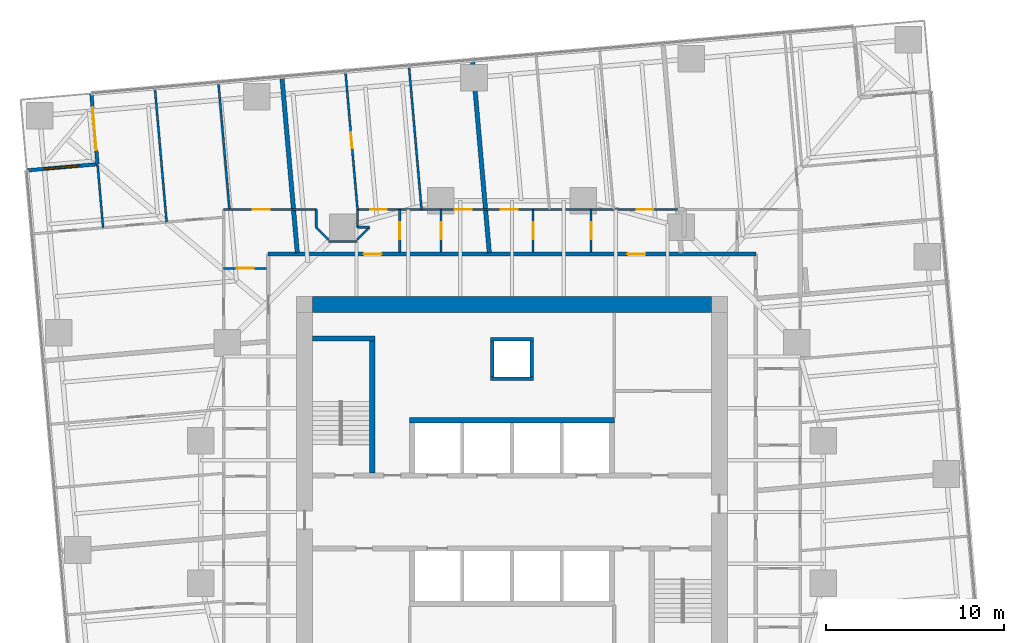
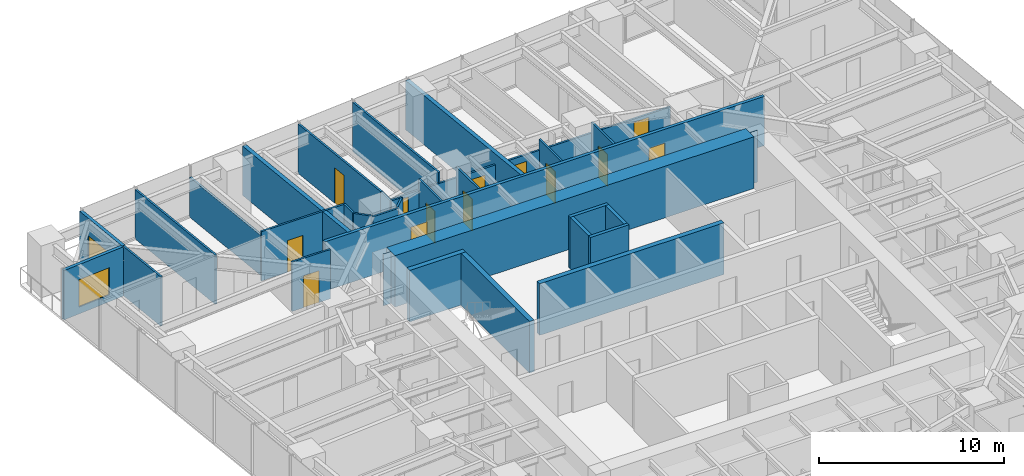
# One storey, part 12 of 14: 31 walls, 14 doors, 1 window, 15 openings.
"""IFC4 building model written with IfcOpenShell, lengths in metres."""

from ifc_helpers import new_model, si_unit, direction, frame, frame_2d, origin, place, context, subcontext, project, spatial, polyline, rectangle, outline, extrude, material, layer, layer_set, type_object, element, fill, save


model = new_model("IFC4")

# Units and contexts
model_context = context("Model", 3, precision=1e-05, world=origin(), true_north=direction((0.0, 1.0)))
body_context = subcontext(model_context, "Body", "Model", "MODEL_VIEW")
ifc_project = project(units=[si_unit("LENGTHUNIT", "METRE"), si_unit("AREAUNIT", "SQUARE_METRE"), si_unit("VOLUMEUNIT", "CUBIC_METRE"), si_unit("PLANEANGLEUNIT", "RADIAN"), si_unit("MASSUNIT", "GRAM", prefix="KILO")], contexts=[model_context])

# Site, building, storey
site_placement = place(None, origin())
site = spatial("IfcSite", under=ifc_project, at=site_placement, CompositionType="ELEMENT")
building_placement = place(site_placement, origin())
building = spatial("IfcBuilding", under=site, at=building_placement, Name="Torsade Residences", CompositionType="ELEMENT")
storey_placement = place(building_placement, frame((0.0, 0.0, 57.39990234375)))
storey = spatial("IfcBuildingStorey", under=building, at=storey_placement, Name="L15", CompositionType="ELEMENT", Elevation=57.39990234375)

# Walls
ifc_material_1 = material(Name="Concrete 80 MPa", Category="concrete")
ifc_layer_1 = layer(ifc_material_1, 0.300048828125)
ifc_layer_set_1 = layer_set([ifc_layer_1], Name="Concrete 80 MPa")
wall_type_1 = type_object("IfcWallType", Name="CORE INTERNAL WALL 300", PredefinedType="SHEAR", material=ifc_layer_set_1)
wall_1_placement = place(storey_placement, frame((34.25, 35.14990234375, 0.0), z_axis=(0.0, 0.0, 1.0), x_axis=(1.0, 0.0, 0.0)))
element("IfcWall", 1, at=wall_1_placement, inside=storey, type_object=wall_type_1, Name="Core wall BN L15", PredefinedType="SHEAR", context=body_context, shape_type="SweptSolid", body=[
    extrude(rectangle(XDim=11.5, YDim=0.300048828125, at=frame_2d((5.75, 0.0))), origin(), (0.0, 0.0, 1.0), 3.400146484375),
])
wall_2_placement = place(storey_placement, frame((32.14990234375, 32.199951171875, 0.0), z_axis=(0.0, 0.0, 1.0), x_axis=(0.0, 1.0, 0.0)))
element("IfcWall", 2, at=wall_2_placement, inside=storey, type_object=wall_type_1, Name="Core wall ST1E L15", PredefinedType="SHEAR", context=body_context, shape_type="SweptSolid", body=[
    extrude(rectangle(XDim=7.699951171875, YDim=0.300048828125, at=frame_2d((3.85009765625, 0.0))), origin(), (0.0, 0.0, 1.0), 3.400146484375),
])
wall_3_placement = place(storey_placement, frame((28.800048828125, 39.75, 0.0), z_axis=(0.0, 0.0, 1.0), x_axis=(1.0, 0.0, 0.0)))
element("IfcWall", 3, at=wall_3_placement, inside=storey, type_object=wall_type_1, Name="Core wall ST1N L15", PredefinedType="SHEAR", context=body_context, shape_type="SweptSolid", body=[
    extrude(rectangle(XDim=3.5, YDim=0.300048828125, at=frame_2d((1.75, 0.0))), origin(), (0.0, 0.0, 1.0), 3.400146484375),
])
ifc_material_2 = material(Name="Concrete 80 MPa", Category="concrete")
ifc_layer_2 = layer(ifc_material_2, 0.89990234375)
ifc_layer_set_2 = layer_set([ifc_layer_2], Name="Concrete 80 MPa")
wall_type_2 = type_object("IfcWallType", Name="CORE WALL 900", PredefinedType="SHEAR", material=ifc_layer_set_2)
wall_4_placement = place(storey_placement, frame((28.800048828125, 41.64990234375, 0.0), z_axis=(0.0, 0.0, 1.0), x_axis=(1.0, 0.0, 0.0)))
element("IfcWall", 4, at=wall_4_placement, inside=storey, type_object=wall_type_2, Name="Core wall N L15", PredefinedType="SHEAR", context=body_context, shape_type="SweptSolid", body=[
    extrude(outline(polyline([(0.0, -0.449951171875), (22.39990234375, -0.449951171875), (22.39990234375, -0.02490234375), (22.849853515625, -0.02490234375), (22.849853515625, 0.02490234375), (22.39990234375, 0.02490234375), (22.39990234375, 0.449951171875), (0.0, 0.449951171875), (0.0, 0.02490234375), (-0.449951171875, 0.02490234375), (-0.449951171875, -0.02490234375), (0.0, -0.02490234375), (0.0, -0.449951171875)])), origin(), (0.0, 0.0, 1.0), 3.400146484375),
])

# Wall, openings, doors
ifc_material_3 = material(Name="Plasterboard on steel stud", Category="steel")
ifc_layer_3 = layer(ifc_material_3, 0.199951171875)
ifc_layer_set_3 = layer_set([ifc_layer_3], Name="Plasterboard on steel stud")
wall_type_3 = type_object("IfcWallType", Name="CORRIDOR WALL 200", PredefinedType="PARTITIONING", material=ifc_layer_set_3)
wall_5_placement = place(storey_placement, frame((53.699951171875, 44.5, 0.0), z_axis=(0.0, 0.0, 1.0), x_axis=(-1.0, 0.0, 0.0)))
wall_5 = element("IfcWall", 5, at=wall_5_placement, inside=storey, type_object=wall_type_3, Name="Corridor wall L15", PredefinedType="PARTITIONING", context=body_context, shape_type="SweptSolid", body=[
    extrude(rectangle(XDim=27.39990234375, YDim=0.199951171875, at=frame_2d((13.699951171875, 0.0))), origin(), (0.0, 0.0, 1.0), 3.25),
])
opening_1_placement = place(wall_5_placement, frame((21.02099609375, 0.0, 0.0)))
opening_1 = element("IfcOpeningElement", 6, at=opening_1_placement, cuts=wall_5, Name="Opening D01", PredefinedType="OPENING", context=body_context, shape_type="SweptSolid", body=[
    extrude(rectangle(XDim=1.02001953125, YDim=2.340087890625, at=frame_2d((0.510009765625, 1.169921875))), frame((0.0, 0.10986328125, 0.0), z_axis=(0.0, -1.0, 0.0), x_axis=(1.0, 0.0, 0.0)), (0.0, 0.0, 1.0), 0.219970703125),
])
opening_2_placement = place(wall_5_placement, frame((6.201416015625, 0.0, 0.0)))
opening_2 = element("IfcOpeningElement", 7, at=opening_2_placement, cuts=wall_5, Name="Opening D01", PredefinedType="OPENING", context=body_context, shape_type="SweptSolid", body=[
    extrude(rectangle(XDim=1.02001953125, YDim=2.340087890625, at=frame_2d((0.510009765625, 1.169921875))), frame((0.0, 0.10986328125, 0.0), z_axis=(0.0, -1.0, 0.0), x_axis=(1.0, 0.0, 0.0)), (0.0, 0.0, 1.0), 0.219970703125),
])
ifc_material_4 = material(Name="Solid-core timber fire door", Category="wood")
door_type_1 = type_object("IfcDoorType", Name="APARTMENT ENTRY DOOR 1020x2340", OperationType="NOTDEFINED", PredefinedType="DOOR", material=ifc_material_4)
door_1_placement = place(opening_1_placement, origin())
door_1 = element("IfcDoor", 8, at=door_1_placement, inside=storey, type_object=door_type_1, Name="Door Residential corridor to Kitchen and dining", OperationType="SINGLE_SWING_LEFT", OverallHeight=2.340087890625, OverallWidth=1.02001953125, PredefinedType="DOOR", context=body_context, shape_type="SweptSolid", body=[
    extrude(rectangle(XDim=1.02001953125, YDim=2.340087890625, at=frame_2d((0.510009765625, 1.169921875))), frame((0.0, 0.02490234375, 0.0), z_axis=(0.0, -1.0, 0.0), x_axis=(1.0, 0.0, 0.0)), (0.0, 0.0, 1.0), 0.050048828125),
])
fill(opening_1, door_1)
door_2_placement = place(opening_2_placement, origin())
door_2 = element("IfcDoor", 9, at=door_2_placement, inside=storey, type_object=door_type_1, Name="Door Residential corridor to Kitchen and dining", OperationType="SINGLE_SWING_RIGHT", OverallHeight=2.340087890625, OverallWidth=1.02001953125, PredefinedType="DOOR", context=body_context, shape_type="SweptSolid", body=[
    extrude(rectangle(XDim=1.02001953125, YDim=2.340087890625, at=frame_2d((0.510009765625, 1.169921875))), frame((0.0, 0.02490234375, 0.0), z_axis=(0.0, -1.0, 0.0), x_axis=(1.0, 0.0, 0.0)), (0.0, 0.0, 1.0), 0.050048828125),
])
fill(opening_2, door_2)

# Wall, opening, door
ifc_material_5 = material(Name="Plasterboard on steel stud", Category="steel")
ifc_layer_4 = layer(ifc_material_5, 0.1201171875)
ifc_layer_set_4 = layer_set([ifc_layer_4], Name="Plasterboard on steel stud")
wall_type_4 = type_object("IfcWallType", Name="PARTITION 120", PredefinedType="PARTITIONING", material=ifc_layer_set_4)
wall_6_placement = place(storey_placement, frame((44.44482421875, 44.60009765625, 0.0), z_axis=(0.0, 0.0, 1.0), x_axis=(0.0, 1.0, 0.0)))
wall_6 = element("IfcWall", 10, at=wall_6_placement, inside=storey, type_object=wall_type_4, Name="Partition L15", PredefinedType="PARTITIONING", context=body_context, shape_type="SweptSolid", body=[
    extrude(rectangle(XDim=2.39990234375, YDim=0.1201171875, at=frame_2d((1.199951171875, 0.0))), origin(), (0.0, 0.0, 1.0), 3.25),
])
opening_3_placement = place(wall_6_placement, frame((0.719970703125, 0.0, 0.0)))
opening_3 = element("IfcOpeningElement", 11, at=opening_3_placement, cuts=wall_6, Name="Opening D05", PredefinedType="OPENING", context=body_context, shape_type="SweptSolid", body=[
    extrude(rectangle(XDim=0.9599609375, YDim=2.10009765625, at=frame_2d((0.47998046875, 1.050048828125))), frame((0.0, 0.070068359375, 0.0), z_axis=(0.0, -1.0, 0.0), x_axis=(1.0, 0.0, 0.0)), (0.0, 0.0, 1.0), 0.14013671875),
])
ifc_material_6 = material(Name="Hollow-core timber door in a steel cavity frame", Category="steel")
door_type_2 = type_object("IfcDoorType", Name="BATHROOM CAVITY SLIDING DOOR 960", OperationType="SLIDING_TO_LEFT", PredefinedType="DOOR", material=ifc_material_6)
door_3_placement = place(opening_3_placement, origin())
door_3 = element("IfcDoor", 12, at=door_3_placement, inside=storey, type_object=door_type_2, Name="Door Kitchen and dining to Bathroom", OperationType="SLIDING_TO_LEFT", OverallHeight=2.10009765625, OverallWidth=0.9599609375, PredefinedType="DOOR", context=body_context, shape_type="SweptSolid", body=[
    extrude(rectangle(XDim=0.9599609375, YDim=2.10009765625, at=frame_2d((0.47998046875, 1.050048828125))), frame((0.0, 0.02490234375, 0.0), z_axis=(0.0, -1.0, 0.0), x_axis=(1.0, 0.0, 0.0)), (0.0, 0.0, 1.0), 0.050048828125),
])
fill(opening_3, door_3)

# Wall, openings, doors
wall_7_placement = place(storey_placement, frame((31.318603515625, 47.0, 0.0), z_axis=(0.0, 0.0, 1.0), x_axis=(1.0, 0.0, 0.0)))
wall_7 = element("IfcWall", 13, at=wall_7_placement, inside=storey, type_object=wall_type_4, Name="Partition L15", PredefinedType="PARTITIONING", context=body_context, shape_type="SweptSolid", body=[
    extrude(rectangle(XDim=17.985107421875, YDim=0.1201171875, at=frame_2d((8.99267578125, 0.0))), origin(), (0.0, 0.0, 1.0), 2.549072265625),
])
opening_4_placement = place(wall_7_placement, frame((0.7255859375, 0.0, 0.0)))
opening_4 = element("IfcOpeningElement", 14, at=opening_4_placement, cuts=wall_7, Name="Opening D02", PredefinedType="OPENING", context=body_context, shape_type="SweptSolid", body=[
    extrude(rectangle(XDim=0.919921875, YDim=2.340087890625, at=frame_2d((0.4599609375, 1.169921875))), frame((0.0, 0.070068359375, 0.0), z_axis=(0.0, -1.0, 0.0), x_axis=(1.0, 0.0, 0.0)), (0.0, 0.0, 1.0), 0.14013671875),
])
opening_5_placement = place(wall_7_placement, frame((15.701416015625, 0.0, 0.0)))
opening_5 = element("IfcOpeningElement", 15, at=opening_5_placement, cuts=wall_7, Name="Opening D02", PredefinedType="OPENING", context=body_context, shape_type="SweptSolid", body=[
    extrude(rectangle(XDim=0.919921875, YDim=2.340087890625, at=frame_2d((0.4599609375, 1.169921875))), frame((0.0, 0.070068359375, 0.0), z_axis=(0.0, -1.0, 0.0), x_axis=(1.0, 0.0, 0.0)), (0.0, 0.0, 1.0), 0.14013671875),
])
opening_6_placement = place(wall_7_placement, frame((5.46728515625, 0.0, 0.0)))
opening_6 = element("IfcOpeningElement", 16, at=opening_6_placement, cuts=wall_7, Name="Opening D05", PredefinedType="OPENING", context=body_context, shape_type="SweptSolid", body=[
    extrude(rectangle(XDim=0.9599609375, YDim=2.10009765625, at=frame_2d((0.47998046875, 1.050048828125))), frame((0.0, 0.070068359375, 0.0), z_axis=(0.0, -1.0, 0.0), x_axis=(1.0, 0.0, 0.0)), (0.0, 0.0, 1.0), 0.14013671875),
])
opening_7_placement = place(wall_7_placement, frame((8.0498046875, 0.0, 0.0)))
opening_7 = element("IfcOpeningElement", 17, at=opening_7_placement, cuts=wall_7, Name="Opening D05", PredefinedType="OPENING", context=body_context, shape_type="SweptSolid", body=[
    extrude(rectangle(XDim=0.9599609375, YDim=2.10009765625, at=frame_2d((0.47998046875, 1.050048828125))), frame((0.0, 0.070068359375, 0.0), z_axis=(0.0, -1.0, 0.0), x_axis=(1.0, 0.0, 0.0)), (0.0, 0.0, 1.0), 0.14013671875),
])
door_4_placement = place(opening_6_placement, origin())
door_4 = element("IfcDoor", 18, at=door_4_placement, inside=storey, type_object=door_type_2, Name="Door Bathroom to Living room", OperationType="SLIDING_TO_LEFT", OverallHeight=2.10009765625, OverallWidth=0.9599609375, PredefinedType="DOOR", context=body_context, shape_type="SweptSolid", body=[
    extrude(rectangle(XDim=0.9599609375, YDim=2.10009765625, at=frame_2d((0.47998046875, 1.050048828125))), frame((0.0, 0.02490234375, 0.0), z_axis=(0.0, -1.0, 0.0), x_axis=(1.0, 0.0, 0.0)), (0.0, 0.0, 1.0), 0.050048828125),
])
fill(opening_6, door_4)
door_5_placement = place(opening_7_placement, origin())
door_5 = element("IfcDoor", 19, at=door_5_placement, inside=storey, type_object=door_type_2, Name="Door Ensuite to Bedroom 2", OperationType="SLIDING_TO_LEFT", OverallHeight=2.10009765625, OverallWidth=0.9599609375, PredefinedType="DOOR", context=body_context, shape_type="SweptSolid", body=[
    extrude(rectangle(XDim=0.9599609375, YDim=2.10009765625, at=frame_2d((0.47998046875, 1.050048828125))), frame((0.0, 0.02490234375, 0.0), z_axis=(0.0, -1.0, 0.0), x_axis=(1.0, 0.0, 0.0)), (0.0, 0.0, 1.0), 0.050048828125),
])
fill(opening_7, door_5)
ifc_material_7 = material(Name="Hollow-core timber door", Category="wood")
door_type_3 = type_object("IfcDoorType", Name="INTERNAL DOOR 920x2340", OperationType="NOTDEFINED", PredefinedType="DOOR", material=ifc_material_7)
door_6_placement = place(opening_4_placement, origin())
door_6 = element("IfcDoor", 20, at=door_6_placement, inside=storey, type_object=door_type_3, Name="Door Kitchen and dining to Bedroom 1", OperationType="SINGLE_SWING_LEFT", OverallHeight=2.340087890625, OverallWidth=0.919921875, PredefinedType="DOOR", context=body_context, shape_type="SweptSolid", body=[
    extrude(rectangle(XDim=0.919921875, YDim=2.340087890625, at=frame_2d((0.4599609375, 1.169921875))), frame((0.0, 0.02490234375, 0.0), z_axis=(0.0, -1.0, 0.0), x_axis=(1.0, 0.0, 0.0)), (0.0, 0.0, 1.0), 0.050048828125),
])
fill(opening_4, door_6)
door_7_placement = place(opening_5_placement, origin())
door_7 = element("IfcDoor", 21, at=door_7_placement, inside=storey, type_object=door_type_3, Name="Door Kitchen and dining to Living room", OperationType="SINGLE_SWING_LEFT", OverallHeight=2.340087890625, OverallWidth=0.919921875, PredefinedType="DOOR", context=body_context, shape_type="SweptSolid", body=[
    extrude(rectangle(XDim=0.919921875, YDim=2.340087890625, at=frame_2d((0.4599609375, 1.169921875))), frame((0.0, 0.02490234375, 0.0), z_axis=(0.0, -1.0, 0.0), x_axis=(1.0, 0.0, 0.0)), (0.0, 0.0, 1.0), 0.050048828125),
])
fill(opening_5, door_7)

# Wall, opening, door
wall_8_placement = place(storey_placement, frame((41.183837890625, 44.60009765625, 0.0), z_axis=(0.0, 0.0, 1.0), x_axis=(0.0, 1.0, 0.0)))
wall_8 = element("IfcWall", 22, at=wall_8_placement, inside=storey, type_object=wall_type_4, Name="Partition L15", PredefinedType="PARTITIONING", context=body_context, shape_type="SweptSolid", body=[
    extrude(rectangle(XDim=2.39990234375, YDim=0.1201171875, at=frame_2d((1.199951171875, 0.0))), origin(), (0.0, 0.0, 1.0), 3.25),
])
opening_8_placement = place(wall_8_placement, frame((0.719970703125, 0.0, 0.0)))
opening_8 = element("IfcOpeningElement", 23, at=opening_8_placement, cuts=wall_8, Name="Opening D05", PredefinedType="OPENING", context=body_context, shape_type="SweptSolid", body=[
    extrude(rectangle(XDim=0.9599609375, YDim=2.10009765625, at=frame_2d((0.47998046875, 1.050048828125))), frame((0.0, 0.070068359375, 0.0), z_axis=(0.0, -1.0, 0.0), x_axis=(1.0, 0.0, 0.0)), (0.0, 0.0, 1.0), 0.14013671875),
])
door_8_placement = place(opening_8_placement, origin())
door_8 = element("IfcDoor", 24, at=door_8_placement, inside=storey, type_object=door_type_2, Name="Door Bathroom to Ensuite", OperationType="SLIDING_TO_LEFT", OverallHeight=2.10009765625, OverallWidth=0.9599609375, PredefinedType="DOOR", context=body_context, shape_type="SweptSolid", body=[
    extrude(rectangle(XDim=0.9599609375, YDim=2.10009765625, at=frame_2d((0.47998046875, 1.050048828125))), frame((0.0, 0.02490234375, 0.0), z_axis=(0.0, -1.0, 0.0), x_axis=(1.0, 0.0, 0.0)), (0.0, 0.0, 1.0), 0.050048828125),
])
fill(opening_8, door_8)

wall_9_placement = place(storey_placement, frame((33.68994140625, 47.0, 0.0), z_axis=(0.0, 0.0, 1.0), x_axis=(0.0, -1.0, 0.0)))
wall_9 = element("IfcWall", 25, at=wall_9_placement, inside=storey, type_object=wall_type_4, Name="Partition L15", PredefinedType="PARTITIONING", context=body_context, shape_type="SweptSolid", body=[
    extrude(rectangle(XDim=2.39990234375, YDim=0.1201171875, at=frame_2d((1.199951171875, 0.0))), origin(), (0.0, 0.0, 1.0), 3.25),
])
opening_9_placement = place(wall_9_placement, frame((0.719970703125, 0.0, 0.0)))
opening_9 = element("IfcOpeningElement", 26, at=opening_9_placement, cuts=wall_9, Name="Opening D05", PredefinedType="OPENING", context=body_context, shape_type="SweptSolid", body=[
    extrude(rectangle(XDim=0.9599609375, YDim=2.10009765625, at=frame_2d((0.47998046875, 1.050048828125))), frame((0.0, 0.070068359375, 0.0), z_axis=(0.0, -1.0, 0.0), x_axis=(1.0, 0.0, 0.0)), (0.0, 0.0, 1.0), 0.14013671875),
])
door_9_placement = place(opening_9_placement, origin())
door_9 = element("IfcDoor", 27, at=door_9_placement, inside=storey, type_object=door_type_2, Name="Door Kitchen and dining to Ensuite", OperationType="SLIDING_TO_LEFT", OverallHeight=2.10009765625, OverallWidth=0.9599609375, PredefinedType="DOOR", context=body_context, shape_type="SweptSolid", body=[
    extrude(rectangle(XDim=0.9599609375, YDim=2.10009765625, at=frame_2d((0.47998046875, 1.050048828125))), frame((0.0, 0.02490234375, 0.0), z_axis=(0.0, -1.0, 0.0), x_axis=(1.0, 0.0, 0.0)), (0.0, 0.0, 1.0), 0.050048828125),
])
fill(opening_9, door_9)

wall_10_placement = place(storey_placement, frame((23.800048828125, 47.0, 0.0), z_axis=(0.0, 0.0, 1.0), x_axis=(1.0, 0.0, 0.0)))
wall_10 = element("IfcWall", 28, at=wall_10_placement, inside=storey, type_object=wall_type_4, Name="Partition L15", PredefinedType="PARTITIONING", context=body_context, shape_type="SweptSolid", body=[
    extrude(rectangle(XDim=5.199951171875, YDim=0.1201171875, at=frame_2d((2.60009765625, 0.0))), origin(), (0.0, 0.0, 1.0), 3.25),
])
opening_10_placement = place(wall_10_placement, frame((1.617919921875, 0.0, 0.0)))
opening_10 = element("IfcOpeningElement", 29, at=opening_10_placement, cuts=wall_10, Name="Opening D05", PredefinedType="OPENING", context=body_context, shape_type="SweptSolid", body=[
    extrude(rectangle(XDim=0.9599609375, YDim=2.10009765625, at=frame_2d((0.47998046875, 1.050048828125))), frame((0.0, 0.070068359375, 0.0), z_axis=(0.0, -1.0, 0.0), x_axis=(1.0, 0.0, 0.0)), (0.0, 0.0, 1.0), 0.14013671875),
])
door_10_placement = place(opening_10_placement, origin())
door_10 = element("IfcDoor", 30, at=door_10_placement, inside=storey, type_object=door_type_2, Name="Door Bathroom to Study", OperationType="SLIDING_TO_LEFT", OverallHeight=2.10009765625, OverallWidth=0.9599609375, PredefinedType="DOOR", context=body_context, shape_type="SweptSolid", body=[
    extrude(rectangle(XDim=0.9599609375, YDim=2.10009765625, at=frame_2d((0.47998046875, 1.050048828125))), frame((0.0, 0.02490234375, 0.0), z_axis=(0.0, -1.0, 0.0), x_axis=(1.0, 0.0, 0.0)), (0.0, 0.0, 1.0), 0.050048828125),
])
fill(opening_10, door_10)

# Walls
wall_11_placement = place(storey_placement, frame((29.0, 47.0, 0.0), z_axis=(0.0, 0.0, 1.0), x_axis=(0.0, -1.0, 0.0)))
element("IfcWall", 31, at=wall_11_placement, inside=storey, type_object=wall_type_4, Name="Partition L15", PredefinedType="PARTITIONING", context=body_context, shape_type="SweptSolid", body=[
    extrude(rectangle(XDim=1.0, YDim=0.1201171875, at=frame_2d((0.5, 0.0))), origin(), (0.0, 0.0, 1.0), 3.25),
])
wall_12_placement = place(storey_placement, frame((29.0, 46.0, 0.0), z_axis=(0.0, 0.0, 1.0), x_axis=(0.707106781187, -0.707106781187, 0.0)))
element("IfcWall", 32, at=wall_12_placement, inside=storey, type_object=wall_type_4, Name="Partition L15", PredefinedType="PARTITIONING", context=body_context, shape_type="SweptSolid", body=[
    extrude(rectangle(XDim=0.989990234375, YDim=0.1201171875, at=frame_2d((0.4951171875, 0.0))), origin(), (0.0, 0.0, 1.0), 3.25),
])
wall_13_placement = place(storey_placement, frame((29.699951171875, 45.199951171875, 0.0), z_axis=(0.0, 0.0, 1.0), x_axis=(1.0, 0.0, 0.0)))
element("IfcWall", 33, at=wall_13_placement, inside=storey, type_object=wall_type_4, Name="Partition L15", PredefinedType="PARTITIONING", context=body_context, shape_type="SweptSolid", body=[
    extrude(rectangle(XDim=1.60009765625, YDim=0.1201171875, at=frame_2d((0.800048828125, 0.0))), origin(), (0.0, 0.0, 1.0), 3.25),
])
wall_14_placement = place(storey_placement, frame((31.300048828125, 45.300048828125, 0.0), z_axis=(0.0, 0.0, 1.0), x_axis=(0.707106781187, 0.707106781187, 0.0)))
element("IfcWall", 34, at=wall_14_placement, inside=storey, type_object=wall_type_4, Name="Partition L15", PredefinedType="PARTITIONING", context=body_context, shape_type="SweptSolid", body=[
    extrude(rectangle(XDim=0.989990234375, YDim=0.1201171875, at=frame_2d((0.4951171875, 0.0))), origin(), (0.0, 0.0, 1.0), 3.25),
])
wall_15_placement = place(storey_placement, frame((32.0, 46.0, 0.0), z_axis=(0.0, 0.0, 1.0), x_axis=(-1.0, 0.0, 0.0)))
element("IfcWall", 35, at=wall_15_placement, inside=storey, type_object=wall_type_4, Name="Partition L15", PredefinedType="PARTITIONING", context=body_context, shape_type="SweptSolid", body=[
    extrude(rectangle(XDim=0.681396484375, YDim=0.1201171875, at=frame_2d((0.3408203125, 0.0))), origin(), (0.0, 0.0, 1.0), 3.25),
])
wall_16_placement = place(storey_placement, frame((31.318603515625, 46.0, 0.0), z_axis=(0.0, 0.0, 1.0), x_axis=(0.0, 1.0, 0.0)))
element("IfcWall", 36, at=wall_16_placement, inside=storey, type_object=wall_type_4, Name="Partition L15", PredefinedType="PARTITIONING", context=body_context, shape_type="SweptSolid", body=[
    extrude(rectangle(XDim=1.0, YDim=0.1201171875, at=frame_2d((0.5, 0.0))), origin(), (0.0, 0.0, 1.0), 3.25),
])

# Wall, opening, door
wall_17_placement = place(storey_placement, frame((36.019287109375, 44.60009765625, 0.0), z_axis=(0.0, 0.0, 1.0), x_axis=(0.0, 1.0, 0.0)))
wall_17 = element("IfcWall", 37, at=wall_17_placement, inside=storey, type_object=wall_type_4, Name="Partition L15", PredefinedType="PARTITIONING", context=body_context, shape_type="SweptSolid", body=[
    extrude(rectangle(XDim=2.39990234375, YDim=0.1201171875, at=frame_2d((1.199951171875, 0.0))), origin(), (0.0, 0.0, 1.0), 3.25),
])
opening_11_placement = place(wall_17_placement, frame((0.719970703125, 0.0, 0.0)))
opening_11 = element("IfcOpeningElement", 38, at=opening_11_placement, cuts=wall_17, Name="Opening D05", PredefinedType="OPENING", context=body_context, shape_type="SweptSolid", body=[
    extrude(rectangle(XDim=0.9599609375, YDim=2.10009765625, at=frame_2d((0.47998046875, 1.050048828125))), frame((0.0, 0.070068359375, 0.0), z_axis=(0.0, -1.0, 0.0), x_axis=(1.0, 0.0, 0.0)), (0.0, 0.0, 1.0), 0.14013671875),
])
door_11_placement = place(opening_11_placement, origin())
door_11 = element("IfcDoor", 39, at=door_11_placement, inside=storey, type_object=door_type_2, Name="Door Ensuite to Bathroom", OperationType="SLIDING_TO_LEFT", OverallHeight=2.10009765625, OverallWidth=0.9599609375, PredefinedType="DOOR", context=body_context, shape_type="SweptSolid", body=[
    extrude(rectangle(XDim=0.9599609375, YDim=2.10009765625, at=frame_2d((0.47998046875, 1.050048828125))), frame((0.0, 0.02490234375, 0.0), z_axis=(0.0, -1.0, 0.0), x_axis=(1.0, 0.0, 0.0)), (0.0, 0.0, 1.0), 0.050048828125),
])
fill(opening_11, door_11)

# Wall
wall_18_placement = place(storey_placement, frame((34.915771484375, 47.0, 0.0), z_axis=(0.0, 0.0, 1.0), x_axis=(-0.087184938313, 0.99619214338, 0.0)))
element("IfcWall", 40, at=wall_18_placement, inside=storey, type_object=wall_type_4, Name="Partition L15", PredefinedType="PARTITIONING", context=body_context, shape_type="SweptSolid", body=[
    extrude(rectangle(XDim=8.08154296875, YDim=0.1201171875, at=frame_2d((4.040771484375, 0.0))), origin(), (0.0, 0.0, 1.0), 3.25),
])

# Wall, opening, door
wall_19_placement = place(storey_placement, frame((31.318603515625, 47.0, 0.0), z_axis=(0.0, 0.0, 1.0), x_axis=(-0.0871517452, 0.996195047824, 0.0)))
wall_19 = element("IfcWall", 41, at=wall_19_placement, inside=storey, type_object=wall_type_4, Name="Partition L15", PredefinedType="PARTITIONING", context=body_context, shape_type="SweptSolid", body=[
    extrude(rectangle(XDim=7.76806640625, YDim=0.1201171875, at=frame_2d((3.884033203125, 0.0))), origin(), (0.0, 0.0, 1.0), 3.25),
])
opening_12_placement = place(wall_19_placement, frame((3.444091796875, 0.0, 0.0)))
opening_12 = element("IfcOpeningElement", 42, at=opening_12_placement, cuts=wall_19, Name="Opening D02", PredefinedType="OPENING", context=body_context, shape_type="SweptSolid", body=[
    extrude(rectangle(XDim=0.919921875, YDim=2.340087890625, at=frame_2d((0.4599609375, 1.169921875))), frame((0.0, 0.070068359375, 0.0), z_axis=(0.0, -1.0, 0.0), x_axis=(1.0, 0.0, 0.0)), (0.0, 0.0, 1.0), 0.14013671875),
])
door_12_placement = place(opening_12_placement, origin())
door_12 = element("IfcDoor", 43, at=door_12_placement, inside=storey, type_object=door_type_3, Name="Door Bedroom 1 to Bedroom 2", OperationType="SINGLE_SWING_LEFT", OverallHeight=2.340087890625, OverallWidth=0.919921875, PredefinedType="DOOR", context=body_context, shape_type="SweptSolid", body=[
    extrude(rectangle(XDim=0.919921875, YDim=2.340087890625, at=frame_2d((0.4599609375, 1.169921875))), frame((0.0, 0.02490234375, 0.0), z_axis=(0.0, -1.0, 0.0), x_axis=(1.0, 0.0, 0.0)), (0.0, 0.0, 1.0), 0.050048828125),
])
fill(opening_12, door_12)

wall_20_placement = place(storey_placement, frame((23.800048828125, 43.68994140625, 0.0), z_axis=(0.0, 0.0, 1.0), x_axis=(1.0, 0.0, 0.0)))
wall_20 = element("IfcWall", 44, at=wall_20_placement, inside=storey, type_object=wall_type_4, Name="Partition L15", PredefinedType="PARTITIONING", context=body_context, shape_type="SweptSolid", body=[
    extrude(rectangle(XDim=2.39990234375, YDim=0.1201171875, at=frame_2d((1.199951171875, 0.0))), origin(), (0.0, 0.0, 1.0), 3.25),
])
opening_13_placement = place(wall_20_placement, frame((0.719970703125, 0.0, 0.0)))
opening_13 = element("IfcOpeningElement", 45, at=opening_13_placement, cuts=wall_20, Name="Opening D05", PredefinedType="OPENING", context=body_context, shape_type="SweptSolid", body=[
    extrude(rectangle(XDim=0.9599609375, YDim=2.10009765625, at=frame_2d((0.47998046875, 1.050048828125))), frame((0.0, 0.070068359375, 0.0), z_axis=(0.0, -1.0, 0.0), x_axis=(1.0, 0.0, 0.0)), (0.0, 0.0, 1.0), 0.14013671875),
])
door_13_placement = place(opening_13_placement, origin())
door_13 = element("IfcDoor", 46, at=door_13_placement, inside=storey, type_object=door_type_2, Name="Door Kitchen and dining to Bathroom", OperationType="SLIDING_TO_LEFT", OverallHeight=2.10009765625, OverallWidth=0.9599609375, PredefinedType="DOOR", context=body_context, shape_type="SweptSolid", body=[
    extrude(rectangle(XDim=0.9599609375, YDim=2.10009765625, at=frame_2d((0.47998046875, 1.050048828125))), frame((0.0, 0.02490234375, 0.0), z_axis=(0.0, -1.0, 0.0), x_axis=(1.0, 0.0, 0.0)), (0.0, 0.0, 1.0), 0.050048828125),
])
fill(opening_13, door_13)

# Walls
wall_21_placement = place(storey_placement, frame((19.9326171875, 53.801513671875, 0.0), z_axis=(0.0, 0.0, 1.0), x_axis=(0.087161730761, -0.99619417419, 0.0)))
element("IfcWall", 47, at=wall_21_placement, inside=storey, type_object=wall_type_4, Name="Partition L15", PredefinedType="PARTITIONING", context=body_context, shape_type="SweptSolid", body=[
    extrude(rectangle(XDim=7.543212890625, YDim=0.1201171875, at=frame_2d((3.771484375, 0.0))), origin(), (0.0, 0.0, 1.0), 3.25),
])
wall_22_placement = place(storey_placement, frame((17.020263671875, 45.974609375, 0.0), z_axis=(0.0, 0.0, 1.0), x_axis=(-0.087161821847, 0.996194166221, 0.0)))
element("IfcWall", 48, at=wall_22_placement, inside=storey, type_object=wall_type_4, Name="Partition L15", PredefinedType="PARTITIONING", context=body_context, shape_type="SweptSolid", body=[
    extrude(rectangle(XDim=3.543212890625, YDim=0.1201171875, at=frame_2d((1.771484375, 0.0))), origin(), (0.0, 0.0, 1.0), 3.25),
])
wall_23_placement = place(storey_placement, frame((23.502197265625, 54.11376953125, 0.0), z_axis=(0.0, 0.0, 1.0), x_axis=(0.087147441029, -0.996195424363, 0.0)))
element("IfcWall", 49, at=wall_23_placement, inside=storey, type_object=wall_type_4, Name="Partition L15", PredefinedType="PARTITIONING", context=body_context, shape_type="SweptSolid", body=[
    extrude(rectangle(XDim=7.140869140625, YDim=0.1201171875, at=frame_2d((3.5703125, 0.0))), origin(), (0.0, 0.0, 1.0), 2.63818359375),
])
ifc_material_8 = material(Name="Masonry-lined stud party wall", Category="masonry")
ifc_layer_5 = layer(ifc_material_8, 0.25)
ifc_layer_set_5 = layer_set([ifc_layer_5], Name="Masonry-lined stud party wall")
wall_type_5 = type_object("IfcWallType", Name="PARTY WALL 250", PredefinedType="PARTITIONING", material=ifc_layer_set_5)
wall_24_placement = place(storey_placement, frame((37.777587890625, 55.403076171875, 0.0), z_axis=(0.0, 0.0, 1.0), x_axis=(0.087140211333, -0.996196056792, 0.0)))
element("IfcWall", 50, at=wall_24_placement, inside=storey, type_object=wall_type_5, Name="Party wall L15", PredefinedType="PARTITIONING", context=body_context, shape_type="SweptSolid", body=[
    extrude(rectangle(XDim=10.873291015625, YDim=0.25, at=frame_2d((5.4365234375, 0.0))), origin(), (0.0, 0.0, 1.0), 3.25),
])
wall_25_placement = place(storey_placement, frame((27.068359375, 54.466064453125, 0.0), z_axis=(0.0, 0.0, 1.0), x_axis=(0.087157803114, -0.996194517831, 0.0)))
element("IfcWall", 51, at=wall_25_placement, inside=storey, type_object=wall_type_5, Name="Party wall L15", PredefinedType="PARTITIONING", context=body_context, shape_type="SweptSolid", body=[
    extrude(rectangle(XDim=9.932861328125, YDim=0.25, at=frame_2d((4.96630859375, 0.0))), origin(), (0.0, 0.0, 1.0), 3.25),
])
ifc_material_9 = material(Name="Reinforced blockwork", Category="masonry")
ifc_layer_6 = layer(ifc_material_9, 0.199951171875)
ifc_layer_set_6 = layer_set([ifc_layer_6], Name="Reinforced blockwork")
wall_type_6 = type_object("IfcWallType", Name="RISER SHAFT WALL 200", PredefinedType="SOLIDWALL", material=ifc_layer_set_6)
for number, where, z_axis, x_axis, name in (
    (52, (38.89990234375, 37.60009765625, 0.0), (0.0, 0.0, 1.0), (0.0, 1.0, 0.0), "Core wall RS1a L15"),
    (53, (41.10009765625, 37.60009765625, 0.0), (0.0, 0.0, 1.0), (0.0, 1.0, 0.0), "Core wall RS1b L15"),
):
    element("IfcWall", number, at=place(storey_placement, frame(where, z_axis=z_axis, x_axis=x_axis)), inside=storey, type_object=wall_type_6, Name=name, PredefinedType="SOLIDWALL", context=body_context, shape_type="SweptSolid", body=[
        extrude(rectangle(XDim=2.0, YDim=0.199951171875, at=frame_2d((1.0, 0.0))), origin(), (0.0, 0.0, 1.0), 3.400146484375),
    ])
for number, where, z_axis, x_axis, name in (
    (54, (38.800048828125, 37.5, 0.0), (0.0, 0.0, 1.0), (1.0, 0.0, 0.0), "Core wall RS1c L15"),
    (55, (38.800048828125, 39.699951171875, 0.0), (0.0, 0.0, 1.0), (1.0, 0.0, 0.0), "Core wall RS1d L15"),
):
    element("IfcWall", number, at=place(storey_placement, frame(where, z_axis=z_axis, x_axis=x_axis)), inside=storey, type_object=wall_type_6, Name=name, PredefinedType="SOLIDWALL", context=body_context, shape_type="SweptSolid", body=[
        extrude(rectangle(XDim=2.39990234375, YDim=0.199951171875, at=frame_2d((1.199951171875, 0.0))), origin(), (0.0, 0.0, 1.0), 3.400146484375),
    ])

# Wall, opening, door
ifc_material_10 = material(Name="Stone-faced precast concrete 40 MPa panel", Category="masonry")
ifc_layer_7 = layer(ifc_material_10, 0.199951171875)
ifc_layer_set_7 = layer_set([ifc_layer_7], Name="Stone-faced precast concrete 40 MPa panel")
wall_type_7 = type_object("IfcWallType", Name="TERRACE WALL 200", PredefinedType="SOLIDWALL", material=ifc_layer_set_7)
wall_26_placement = place(storey_placement, frame((16.359375, 53.529052734375, 0.0), z_axis=(0.0, 0.0, 1.0), x_axis=(0.087161650072, -0.99619418125, 0.0)))
wall_26 = element("IfcWall", 56, at=wall_26_placement, inside=storey, type_object=wall_type_7, Name="Terrace wall L15 8", PredefinedType="SOLIDWALL", context=body_context, shape_type="SweptSolid", body=[
    extrude(rectangle(XDim=3.999755859375, YDim=0.199951171875, at=frame_2d((2.0, 0.0))), origin(), (0.0, 0.0, 1.0), 3.25),
])
opening_14_placement = place(wall_26_placement, frame((0.800048828125, 0.0, 0.0)))
opening_14 = element("IfcOpeningElement", 57, at=opening_14_placement, cuts=wall_26, Name="Opening D10A", PredefinedType="OPENING", context=body_context, shape_type="SweptSolid", body=[
    extrude(rectangle(XDim=2.39990234375, YDim=2.10009765625, at=frame_2d((1.199951171875, 1.050048828125))), frame((0.0, 0.10986328125, 0.0), z_axis=(0.0, -1.0, 0.0), x_axis=(1.0, 0.0, 0.0)), (0.0, 0.0, 1.0), 0.219970703125),
])
ifc_material_11 = material(Name="Aluminium-framed glass door", Category="aluminium")
door_type_4 = type_object("IfcDoorType", Name="TERRACE SLIDING DOOR 2400x2100", OperationType="SLIDING_TO_LEFT", PredefinedType="DOOR", material=ifc_material_11)
door_14_placement = place(opening_14_placement, origin())
door_14 = element("IfcDoor", 58, at=door_14_placement, inside=storey, type_object=door_type_4, Name="Terrace door L15 8", OperationType="SLIDING_TO_LEFT", OverallHeight=2.10009765625, OverallWidth=2.39990234375, PredefinedType="DOOR", context=body_context, shape_type="SweptSolid", body=[
    extrude(rectangle(XDim=2.39990234375, YDim=2.10009765625, at=frame_2d((1.199951171875, 1.050048828125))), frame((0.0, 0.02490234375, 0.0), z_axis=(0.0, -1.0, 0.0), x_axis=(1.0, 0.0, 0.0)), (0.0, 0.0, 1.0), 0.050048828125),
])
fill(opening_14, door_14)

# Wall, opening, window
wall_27_placement = place(storey_placement, frame((16.7080078125, 49.54443359375, 0.0), z_axis=(0.0, 0.0, 1.0), x_axis=(-0.99619464492, -0.087156350505, 0.0)))
wall_27 = element("IfcWall", 59, at=wall_27_placement, inside=storey, type_object=wall_type_7, Name="Terrace wall L15 9", PredefinedType="SOLIDWALL", context=body_context, shape_type="SweptSolid", body=[
    extrude(rectangle(XDim=4.0, YDim=0.199951171875, at=frame_2d((2.0, 0.0))), origin(), (0.0, 0.0, 1.0), 3.25),
])
opening_15_placement = place(wall_27_placement, frame((1.0, 0.0, 0.449951171875)))
opening_15 = element("IfcOpeningElement", 60, at=opening_15_placement, cuts=wall_27, Name="Opening W1B", PredefinedType="OPENING", context=body_context, shape_type="SweptSolid", body=[
    extrude(rectangle(XDim=2.0, YDim=1.800048828125, at=frame_2d((1.0, 0.89990234375))), frame((0.0, 0.10986328125, 0.0), z_axis=(0.0, -1.0, 0.0), x_axis=(1.0, 0.0, 0.0)), (0.0, 0.0, 1.0), 0.219970703125),
])
ifc_material_12 = material(Name="Aluminium-framed glass window", Category="aluminium")
window_type = type_object("IfcWindowType", Name="TERRACE WINDOW 2000x1800", PartitioningType="SINGLE_PANEL", PredefinedType="WINDOW", material=ifc_material_12)
window_placement = place(opening_15_placement, origin())
window = element("IfcWindow", 61, at=window_placement, inside=storey, type_object=window_type, Name="Terrace window L15 9", OverallHeight=1.800048828125, OverallWidth=2.0, PartitioningType="SINGLE_PANEL", PredefinedType="WINDOW", context=body_context, shape_type="SweptSolid", body=[
    extrude(rectangle(XDim=2.0, YDim=1.800048828125, at=frame_2d((1.0, 0.89990234375))), frame((0.0, 0.030029296875, 0.0), z_axis=(0.0, -1.0, 0.0), x_axis=(1.0, 0.0, 0.0)), (0.0, 0.0, 1.0), 0.06005859375),
])
fill(opening_15, window)

save(model, "model.ifc")
